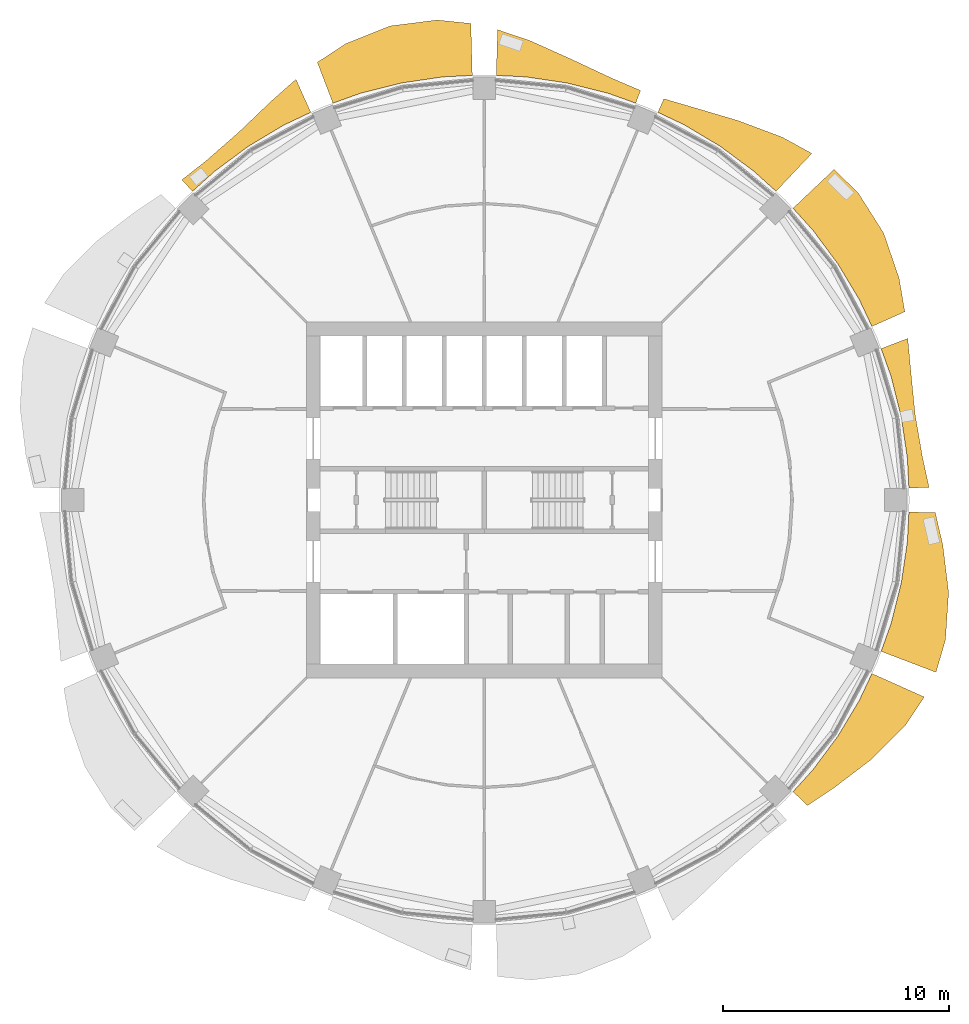
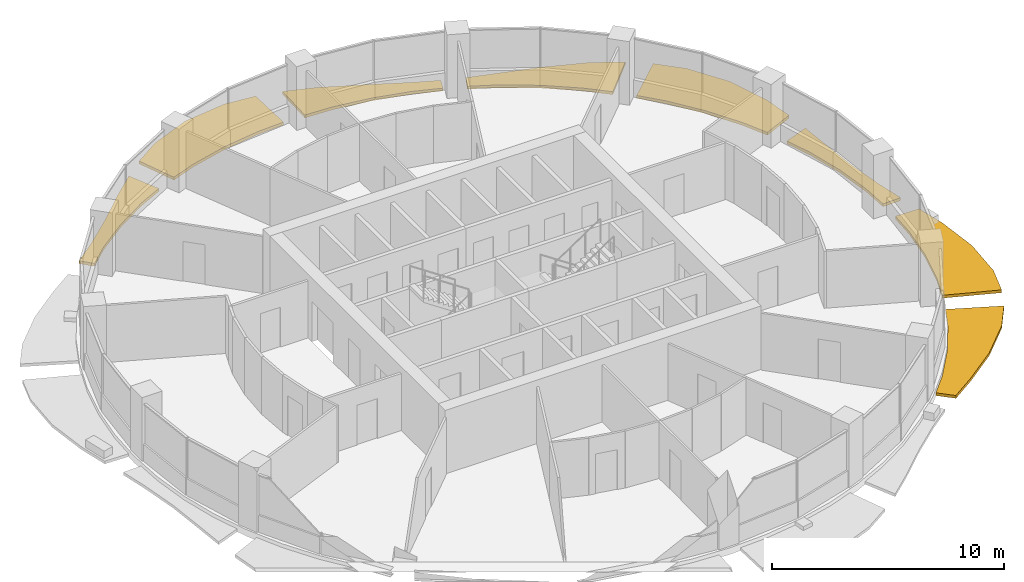
# One storey, part 14 of 15: 8 shading devices.
"""IFC4 building model written with IfcOpenShell, lengths in metres."""

from ifc_helpers import new_model, si_unit, direction, frame, origin, place, context, subcontext, project, spatial, polyline, outline, extrude, material, type_object, element, save


model = new_model("IFC4")

# Units and contexts
model_context = context("Model", 3, precision=1e-05, world=origin(), true_north=direction((0.0, 1.0)))
body_context = subcontext(model_context, "Body", "Model", "MODEL_VIEW")
ifc_project = project(units=[si_unit("LENGTHUNIT", "METRE"), si_unit("AREAUNIT", "SQUARE_METRE"), si_unit("VOLUMEUNIT", "CUBIC_METRE"), si_unit("PLANEANGLEUNIT", "RADIAN"), si_unit("MASSUNIT", "GRAM", prefix="KILO")], contexts=[model_context])

# Site, building, storey
site_placement = place(None, origin())
site = spatial("IfcSite", under=ifc_project, at=site_placement, CompositionType="ELEMENT")
building_placement = place(site_placement, origin())
building = spatial("IfcBuilding", under=site, at=building_placement, Name="Polderwave Tower", CompositionType="ELEMENT")
storey_placement = place(building_placement, frame((0.0, 0.0, 151.10009765625)))
storey = spatial("IfcBuildingStorey", under=building, at=storey_placement, Name="L40", CompositionType="ELEMENT", Elevation=151.10009765625)

# Shading devices
ifc_material = material(Name="Terracotta", Category="masonry")
shading_device_type = type_object("IfcShadingDeviceType", Name="Terracotta sunshade band", PredefinedType="USERDEFINED", material=ifc_material)
shading_device_1_placement = place(storey_placement, frame((0.0, 0.0, -0.35009765625)))
element("IfcShadingDevice", 1, at=shading_device_1_placement, inside=storey, type_object=shading_device_type, Name="Sunshade band L40 1", ObjectType="SUNSHADE", PredefinedType="USERDEFINED", context=body_context, shape_type="SweptSolid", body=[
    extrude(outline(polyline([(18.803955078125, 0.5302734375), (18.7392578125, 1.845703125), (18.46826171875, 3.673583984375), (18.019287109375, 5.466064453125), (17.575439453125, 6.7060546875), (18.755859375, 7.156494140625), (18.888916015625, 5.729736328125), (19.080078125, 3.795166015625), (19.404052734375, 1.9111328125), (19.7001953125, 0.5556640625), (18.803955078125, 0.5302734375)])), origin(), (0.0, 0.0, 1.0), 0.14990234375),
])
shading_device_2_placement = place(storey_placement, frame((0.0, 0.0, -0.35009765625)))
element("IfcShadingDevice", 2, at=shading_device_2_placement, inside=storey, type_object=shading_device_type, Name="Sunshade band L40 2", ObjectType="SUNSHADE", PredefinedType="USERDEFINED", context=body_context, shape_type="SweptSolid", body=[
    extrude(outline(polyline([(17.169677734375, 7.685791015625), (16.606689453125, 8.87646484375), (15.656494140625, 10.46142578125), (14.555908203125, 11.945556640625), (13.67138671875, 12.92138671875), (15.4912109375, 14.641357421875), (16.5654296875, 13.594970703125), (17.688232421875, 11.819091796875), (18.373046875, 9.820556640625), (18.62548828125, 8.33740234375), (17.169677734375, 7.685791015625)])), origin(), (0.0, 0.0, 1.0), 0.14990234375),
])
shading_device_3_placement = place(storey_placement, frame((0.0, 0.0, -0.35009765625)))
element("IfcShadingDevice", 3, at=shading_device_3_placement, inside=storey, type_object=shading_device_type, Name="Sunshade band L40 3", ObjectType="SUNSHADE", PredefinedType="USERDEFINED", context=body_context, shape_type="SweptSolid", body=[
    extrude(outline(polyline([(12.92138671875, 13.67138671875), (11.945556640625, 14.555908203125), (10.46142578125, 15.656494140625), (8.87646484375, 16.606689453125), (7.685791015625, 17.169677734375), (7.954833984375, 17.7705078125), (9.2900390625, 17.38037109375), (11.22998046875, 16.806640625), (13.1904296875, 16.072509765625), (14.508544921875, 15.3505859375), (12.92138671875, 13.67138671875)])), origin(), (0.0, 0.0, 1.0), 0.14990234375),
])
shading_device_4_placement = place(storey_placement, frame((0.0, 0.0, -0.35009765625)))
element("IfcShadingDevice", 4, at=shading_device_4_placement, inside=storey, type_object=shading_device_type, Name="Sunshade band L40 4", ObjectType="SUNSHADE", PredefinedType="USERDEFINED", context=body_context, shape_type="SweptSolid", body=[
    extrude(outline(polyline([(6.7060546875, 17.575439453125), (5.466064453125, 18.019287109375), (3.673583984375, 18.46826171875), (1.845703125, 18.7392578125), (0.5302734375, 18.803955078125), (0.58740234375, 20.830810546875), (2.004638671875, 20.353515625), (3.880859375, 19.5107421875), (5.664794921875, 18.674560546875), (6.919921875, 18.135986328125), (6.7060546875, 17.575439453125)])), origin(), (0.0, 0.0, 1.0), 0.14990234375),
])
shading_device_5_placement = place(storey_placement, frame((0.0, 0.0, -0.35009765625)))
element("IfcShadingDevice", 5, at=shading_device_5_placement, inside=storey, type_object=shading_device_type, Name="Sunshade band L40 5", ObjectType="SUNSHADE", PredefinedType="USERDEFINED", context=body_context, shape_type="SweptSolid", body=[
    extrude(outline(polyline([(-0.5302734375, 18.803955078125), (-1.845703125, 18.7392578125), (-3.673583984375, 18.46826171875), (-5.466064453125, 18.019287109375), (-6.7060546875, 17.575439453125), (-7.396484375, 19.385009765625), (-6.131103515625, 20.2119140625), (-4.176025390625, 20.994873046875), (-2.093994140625, 21.25927734375), (-0.59521484375, 21.106689453125), (-0.5302734375, 18.803955078125)])), origin(), (0.0, 0.0, 1.0), 0.14990234375),
])
shading_device_6_placement = place(storey_placement, frame((0.0, 0.0, -0.35009765625)))
element("IfcShadingDevice", 6, at=shading_device_6_placement, inside=storey, type_object=shading_device_type, Name="Sunshade band L40 6", ObjectType="SUNSHADE", PredefinedType="USERDEFINED", context=body_context, shape_type="SweptSolid", body=[
    extrude(outline(polyline([(-7.685791015625, 17.169677734375), (-8.87646484375, 16.606689453125), (-10.46142578125, 15.656494140625), (-11.945556640625, 14.555908203125), (-12.92138671875, 13.67138671875), (-13.399658203125, 14.17724609375), (-12.326416015625, 15.019775390625), (-10.881591796875, 16.285400390625), (-9.440673828125, 17.662109375), (-8.341796875, 18.634521484375), (-7.685791015625, 17.169677734375)])), origin(), (0.0, 0.0, 1.0), 0.14990234375),
])
shading_device_7_placement = place(storey_placement, frame((0.0, 0.0, -0.35009765625)))
element("IfcShadingDevice", 7, at=shading_device_7_placement, inside=storey, type_object=shading_device_type, Name="Sunshade band L40 15", ObjectType="SUNSHADE", PredefinedType="USERDEFINED", context=body_context, shape_type="SweptSolid", body=[
    extrude(outline(polyline([(13.67138671875, -12.92138671875), (14.555908203125, -11.945556640625), (15.656494140625, -10.46142578125), (16.606689453125, -8.87646484375), (17.169677734375, -7.685791015625), (19.489501953125, -8.724365234375), (18.65478515625, -9.97119140625), (17.1669921875, -11.470703125), (15.5126953125, -12.73095703125), (14.317626953125, -13.5322265625), (13.67138671875, -12.92138671875)])), origin(), (0.0, 0.0, 1.0), 0.14990234375),
])
shading_device_8_placement = place(storey_placement, frame((0.0, 0.0, -0.35009765625)))
element("IfcShadingDevice", 8, at=shading_device_8_placement, inside=storey, type_object=shading_device_type, Name="Sunshade band L40 16", ObjectType="SUNSHADE", PredefinedType="USERDEFINED", context=body_context, shape_type="SweptSolid", body=[
    extrude(outline(polyline([(17.575439453125, -6.7060546875), (18.019287109375, -5.466064453125), (18.46826171875, -3.673583984375), (18.7392578125, -1.845703125), (18.803955078125, -0.5302734375), (19.9755859375, -0.563232421875), (20.3095703125, -2.000244140625), (20.564208984375, -4.090576171875), (20.426025390625, -6.1962890625), (20.004638671875, -7.6328125), (17.575439453125, -6.7060546875)])), origin(), (0.0, 0.0, 1.0), 0.14990234375),
])

save(model, "model.ifc")
